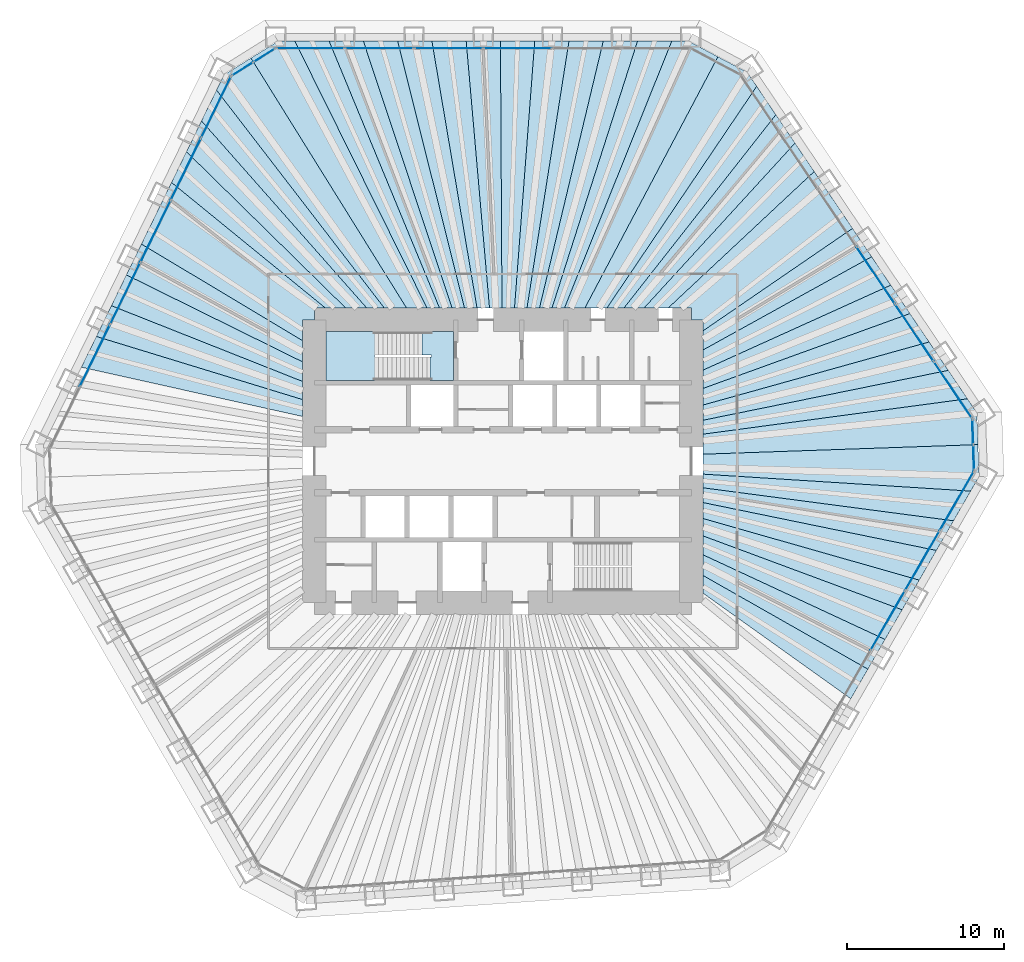
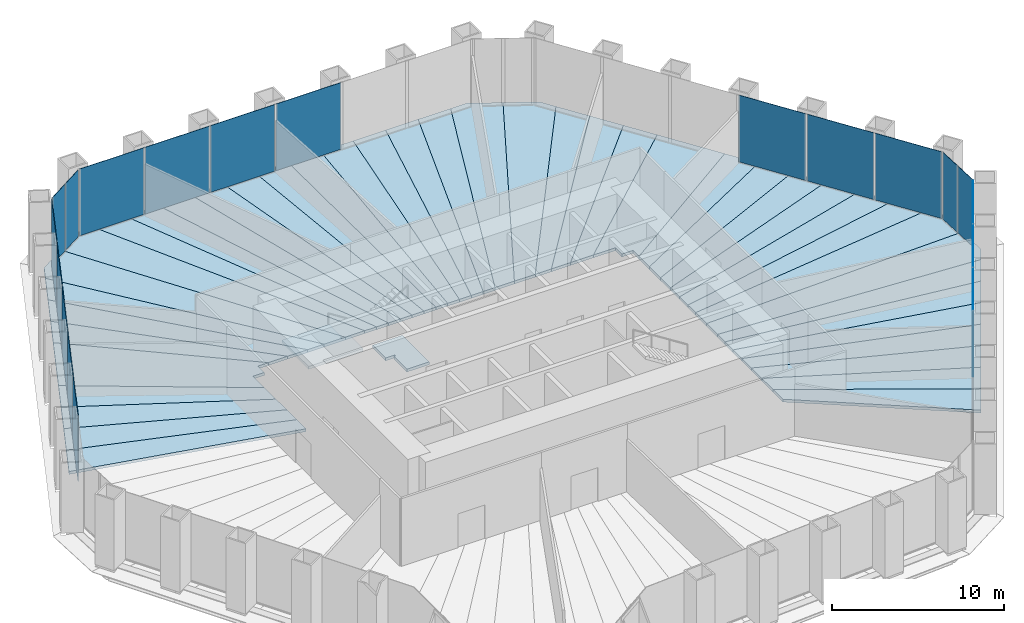
# One storey, part 9 of 14: 44 slabs, 19 plates, 7 elements without a shape of their own.
"""IFC4 building model written with IfcOpenShell, lengths in metres."""

from ifc_helpers import new_model, si_unit, direction, frame, origin, origin_2d, place, context, subcontext, project, spatial, polyline, rectangle, outline, extrude, material, layer, layer_set, type_object, element, aggregate, save


model = new_model("IFC4")

# Units and contexts
model_context = context("Model", 3, precision=1e-05, world=origin(), true_north=direction((0.0, 1.0)))
body_context = subcontext(model_context, "Body", "Model", "MODEL_VIEW")
ifc_project = project(units=[si_unit("LENGTHUNIT", "METRE"), si_unit("AREAUNIT", "SQUARE_METRE"), si_unit("VOLUMEUNIT", "CUBIC_METRE"), si_unit("PLANEANGLEUNIT", "RADIAN"), si_unit("MASSUNIT", "GRAM", prefix="KILO")], contexts=[model_context])

# Site, building, storey
site_placement = place(None, origin())
site = spatial("IfcSite", under=ifc_project, at=site_placement, CompositionType="ELEMENT")
building_placement = place(site_placement, origin())
building = spatial("IfcBuilding", under=site, at=building_placement, Name="Qingtian Harvest Tower", CompositionType="ELEMENT")
storey_placement = place(building_placement, frame((0.0, 0.0, 57.0)))
storey = spatial("IfcBuildingStorey", under=building, at=storey_placement, Name="L11", CompositionType="ELEMENT", Elevation=57.0)

# Slabs
ifc_material_1 = material(Name="Concrete fc' 35 MPa", Category="concrete")
ifc_layer_1 = layer(ifc_material_1, 0.199951171875)
ifc_layer_set_1 = layer_set([ifc_layer_1], Name="Composite floor slab FS20 200")
slab_type_1 = type_object("IfcSlabType", Name="Composite floor slab FS20 200", PredefinedType="FLOOR", material=ifc_layer_set_1)
slab_1_placement = place(storey_placement, frame((0.0, 0.0, -0.199951171875)))
element("IfcSlab", 1, at=slab_1_placement, inside=storey, type_object=slab_type_1, Name="Floor slab L11 panel D32", PredefinedType="FLOOR", context=body_context, shape_type="SweptSolid", body=[
    extrude(outline(polyline([(12.75, -7.279052734375), (23.247802734375, -13.243408203125), (22.159423828125, -15.128662109375), (12.75, -8.4091796875), (12.75, -7.279052734375)])), origin(), (0.0, 0.0, 1.0), 0.199951171875),
])
slab_2_placement = place(storey_placement, frame((0.0, 0.0, -0.199951171875)))
element("IfcSlab", 2, at=slab_2_placement, inside=storey, type_object=slab_type_1, Name="Floor slab L11 panel D33", PredefinedType="FLOOR", context=body_context, shape_type="SweptSolid", body=[
    extrude(outline(polyline([(12.75, -5.96142578125), (24.339111328125, -11.353515625), (23.247802734375, -13.243408203125), (12.75, -7.279052734375), (12.75, -5.96142578125)])), origin(), (0.0, 0.0, 1.0), 0.199951171875),
])
slab_3_placement = place(storey_placement, frame((0.0, 0.0, -0.199951171875)))
element("IfcSlab", 3, at=slab_3_placement, inside=storey, type_object=slab_type_1, Name="Floor slab L11 panel D34", PredefinedType="FLOOR", context=body_context, shape_type="SweptSolid", body=[
    extrude(outline(polyline([(12.75, -4.757080078125), (25.43017578125, -9.46337890625), (24.339111328125, -11.353515625), (12.75, -5.96142578125), (12.75, -4.757080078125)])), origin(), (0.0, 0.0, 1.0), 0.199951171875),
])
slab_4_placement = place(storey_placement, frame((0.0, 0.0, -0.199951171875)))
element("IfcSlab", 4, at=slab_4_placement, inside=storey, type_object=slab_type_1, Name="Floor slab L11 panel D35", PredefinedType="FLOOR", context=body_context, shape_type="SweptSolid", body=[
    extrude(outline(polyline([(12.75, -3.651611328125), (26.521484375, -7.573486328125), (25.43017578125, -9.46337890625), (12.75, -4.757080078125), (12.75, -3.651611328125)])), origin(), (0.0, 0.0, 1.0), 0.199951171875),
])
slab_5_placement = place(storey_placement, frame((0.0, 0.0, -0.199951171875)))
element("IfcSlab", 5, at=slab_5_placement, inside=storey, type_object=slab_type_1, Name="Floor slab L11 panel D36", PredefinedType="FLOOR", context=body_context, shape_type="SweptSolid", body=[
    extrude(outline(polyline([(12.75, -2.634033203125), (27.612548828125, -5.68359375), (26.521484375, -7.573486328125), (12.75, -3.651611328125), (12.75, -2.634033203125)])), origin(), (0.0, 0.0, 1.0), 0.199951171875),
])
slab_6_placement = place(storey_placement, frame((0.0, 0.0, -0.199951171875)))
element("IfcSlab", 6, at=slab_6_placement, inside=storey, type_object=slab_type_1, Name="Floor slab L11 panel D37", PredefinedType="FLOOR", context=body_context, shape_type="SweptSolid", body=[
    extrude(outline(polyline([(12.75, -1.693603515625), (28.703857421875, -3.793701171875), (27.612548828125, -5.68359375), (12.75, -2.634033203125), (12.75, -1.693603515625)])), origin(), (0.0, 0.0, 1.0), 0.199951171875),
])
slab_7_placement = place(storey_placement, frame((0.0, 0.0, -0.199951171875)))
element("IfcSlab", 7, at=slab_7_placement, inside=storey, type_object=slab_type_1, Name="Floor slab L11 panel D38", PredefinedType="FLOOR", context=body_context, shape_type="SweptSolid", body=[
    extrude(outline(polyline([(12.75, -0.822265625), (29.794921875, -1.903564453125), (28.703857421875, -3.793701171875), (12.75, -1.693603515625), (12.75, -0.822265625)])), origin(), (0.0, 0.0, 1.0), 0.199951171875),
])
slab_8_placement = place(storey_placement, frame((0.0, 0.0, -0.199951171875)))
element("IfcSlab", 8, at=slab_8_placement, inside=storey, type_object=slab_type_1, Name="Floor slab L11 panel D39", PredefinedType="FLOOR", context=body_context, shape_type="SweptSolid", body=[
    extrude(outline(polyline([(12.75, -0.822265625), (12.75, 0.447265625), (30.2587890625, 1.056640625), (30.32958984375, -0.9775390625), (29.794921875, -1.903564453125), (12.75, -0.822265625)])), origin(), (0.0, 0.0, 1.0), 0.199951171875),
])
slab_9_placement = place(storey_placement, frame((0.0, 0.0, -0.199951171875)))
element("IfcSlab", 9, at=slab_9_placement, inside=storey, type_object=slab_type_1, Name="Floor slab L11 panel D40", PredefinedType="FLOOR", context=body_context, shape_type="SweptSolid", body=[
    extrude(outline(polyline([(12.75, 0.447265625), (12.75, 1.72265625), (29.589599609375, 3.977294921875), (30.187744140625, 3.0908203125), (30.2587890625, 1.056640625), (12.75, 0.447265625)])), origin(), (0.0, 0.0, 1.0), 0.199951171875),
])
slab_10_placement = place(storey_placement, frame((0.0, 0.0, -0.199951171875)))
element("IfcSlab", 10, at=slab_10_placement, inside=storey, type_object=slab_type_1, Name="Floor slab L11 panel D41", PredefinedType="FLOOR", context=body_context, shape_type="SweptSolid", body=[
    extrude(outline(polyline([(12.75, 2.610595703125), (28.369140625, 5.78662109375), (29.589599609375, 3.977294921875), (12.75, 1.72265625), (12.75, 2.610595703125)])), origin(), (0.0, 0.0, 1.0), 0.199951171875),
])
slab_11_placement = place(storey_placement, frame((0.0, 0.0, -0.199951171875)))
element("IfcSlab", 11, at=slab_11_placement, inside=storey, type_object=slab_type_1, Name="Floor slab L11 panel D42", PredefinedType="FLOOR", context=body_context, shape_type="SweptSolid", body=[
    extrude(outline(polyline([(12.75, 3.57861328125), (27.14892578125, 7.595947265625), (28.369140625, 5.78662109375), (12.75, 2.610595703125), (12.75, 3.57861328125)])), origin(), (0.0, 0.0, 1.0), 0.199951171875),
])
slab_12_placement = place(storey_placement, frame((0.0, 0.0, -0.199951171875)))
element("IfcSlab", 12, at=slab_12_placement, inside=storey, type_object=slab_type_1, Name="Floor slab L11 panel D43", PredefinedType="FLOOR", context=body_context, shape_type="SweptSolid", body=[
    extrude(outline(polyline([(12.75, 4.6376953125), (25.928466796875, 9.405029296875), (27.14892578125, 7.595947265625), (12.75, 3.57861328125), (12.75, 4.6376953125)])), origin(), (0.0, 0.0, 1.0), 0.199951171875),
])
slab_13_placement = place(storey_placement, frame((0.0, 0.0, -0.199951171875)))
element("IfcSlab", 13, at=slab_13_placement, inside=storey, type_object=slab_type_1, Name="Floor slab L11 panel D44", PredefinedType="FLOOR", context=body_context, shape_type="SweptSolid", body=[
    extrude(outline(polyline([(12.75, 5.8017578125), (24.708251953125, 11.21435546875), (25.928466796875, 9.405029296875), (12.75, 4.6376953125), (12.75, 5.8017578125)])), origin(), (0.0, 0.0, 1.0), 0.199951171875),
])
slab_14_placement = place(storey_placement, frame((0.0, 0.0, -0.199951171875)))
element("IfcSlab", 14, at=slab_14_placement, inside=storey, type_object=slab_type_1, Name="Floor slab L11 panel D45", PredefinedType="FLOOR", context=body_context, shape_type="SweptSolid", body=[
    extrude(outline(polyline([(12.75, 7.087158203125), (23.48779296875, 13.023681640625), (24.708251953125, 11.21435546875), (12.75, 5.8017578125), (12.75, 7.087158203125)])), origin(), (0.0, 0.0, 1.0), 0.199951171875),
])
slab_15_placement = place(storey_placement, frame((0.0, 0.0, -0.199951171875)))
element("IfcSlab", 15, at=slab_15_placement, inside=storey, type_object=slab_type_1, Name="Floor slab L11 panel D46", PredefinedType="FLOOR", context=body_context, shape_type="SweptSolid", body=[
    extrude(outline(polyline([(12.75, 8.30615234375), (22.26953125, 14.829833984375), (23.48779296875, 13.023681640625), (12.75, 7.087158203125), (12.75, 8.30615234375)])), origin(), (0.0, 0.0, 1.0), 0.199951171875),
])
slab_16_placement = place(storey_placement, frame((0.0, 0.0, -0.199951171875)))
element("IfcSlab", 16, at=slab_16_placement, inside=storey, type_object=slab_type_1, Name="Floor slab L11 panel D48", PredefinedType="FLOOR", context=body_context, shape_type="SweptSolid", body=[
    extrude(outline(polyline([(19.8271484375, 18.45068359375), (22.26953125, 14.829833984375), (12.75, 8.30615234375), (12.75, 9.0), (12.0, 9.0), (12.0, 9.75), (10.51806640625, 9.75), (19.8271484375, 18.45068359375)])), origin(), (0.0, 0.0, 1.0), 0.199951171875),
])
slab_17_placement = place(storey_placement, frame((0.0, 0.0, -0.199951171875)))
element("IfcSlab", 17, at=slab_17_placement, inside=storey, type_object=slab_type_1, Name="Floor slab L11 panel D49", PredefinedType="FLOOR", context=body_context, shape_type="SweptSolid", body=[
    extrude(outline(polyline([(8.985107421875, 9.75), (18.60693359375, 20.260009765625), (19.8271484375, 18.45068359375), (10.51806640625, 9.75), (8.985107421875, 9.75)])), origin(), (0.0, 0.0, 1.0), 0.199951171875),
])
slab_18_placement = place(storey_placement, frame((0.0, 0.0, -0.199951171875)))
element("IfcSlab", 18, at=slab_18_placement, inside=storey, type_object=slab_type_1, Name="Floor slab L11 panel D50", PredefinedType="FLOOR", context=body_context, shape_type="SweptSolid", body=[
    extrude(outline(polyline([(7.705078125, 9.75), (17.386474609375, 22.0693359375), (18.60693359375, 20.260009765625), (8.985107421875, 9.75), (7.705078125, 9.75)])), origin(), (0.0, 0.0, 1.0), 0.199951171875),
])
slab_19_placement = place(storey_placement, frame((0.0, 0.0, -0.199951171875)))
element("IfcSlab", 19, at=slab_19_placement, inside=storey, type_object=slab_type_1, Name="Floor slab L11 panel D51", PredefinedType="FLOOR", context=body_context, shape_type="SweptSolid", body=[
    extrude(outline(polyline([(6.61962890625, 9.75), (16.166015625, 23.87841796875), (17.386474609375, 22.0693359375), (7.705078125, 9.75), (6.61962890625, 9.75)])), origin(), (0.0, 0.0, 1.0), 0.199951171875),
])
slab_20_placement = place(storey_placement, frame((0.0, 0.0, -0.199951171875)))
element("IfcSlab", 20, at=slab_20_placement, inside=storey, type_object=slab_type_1, Name="Floor slab L11 panel D52", PredefinedType="FLOOR", context=body_context, shape_type="SweptSolid", body=[
    extrude(outline(polyline([(6.61962890625, 9.75), (5.21875, 9.75), (13.697265625, 25.760009765625), (15.56787109375, 24.765380859375), (16.166015625, 23.87841796875), (6.61962890625, 9.75)])), origin(), (0.0, 0.0, 1.0), 0.199951171875),
])
slab_21_placement = place(storey_placement, frame((0.0, 0.0, -0.199951171875)))
element("IfcSlab", 21, at=slab_21_placement, inside=storey, type_object=slab_type_1, Name="Floor slab L11 panel D53", PredefinedType="FLOOR", context=body_context, shape_type="SweptSolid", body=[
    extrude(outline(polyline([(3.919921875, 9.75), (10.756591796875, 26.7548828125), (11.825927734375, 26.7548828125), (13.697265625, 25.760009765625), (5.21875, 9.75), (3.919921875, 9.75)])), origin(), (0.0, 0.0, 1.0), 0.199951171875),
])
slab_22_placement = place(storey_placement, frame((0.0, 0.0, -0.199951171875)))
element("IfcSlab", 22, at=slab_22_placement, inside=storey, type_object=slab_type_1, Name="Floor slab L11 panel D54", PredefinedType="FLOOR", context=body_context, shape_type="SweptSolid", body=[
    extrude(outline(polyline([(3.12451171875, 9.75), (8.57421875, 26.7548828125), (10.756591796875, 26.7548828125), (3.919921875, 9.75), (3.12451171875, 9.75)])), origin(), (0.0, 0.0, 1.0), 0.199951171875),
])
slab_23_placement = place(storey_placement, frame((0.0, 0.0, -0.199951171875)))
element("IfcSlab", 23, at=slab_23_placement, inside=storey, type_object=slab_type_1, Name="Floor slab L11 panel D55", PredefinedType="FLOOR", context=body_context, shape_type="SweptSolid", body=[
    extrude(outline(polyline([(2.329345703125, 9.75), (6.391845703125, 26.7548828125), (8.57421875, 26.7548828125), (3.12451171875, 9.75), (2.329345703125, 9.75)])), origin(), (0.0, 0.0, 1.0), 0.199951171875),
])
slab_24_placement = place(storey_placement, frame((0.0, 0.0, -0.199951171875)))
element("IfcSlab", 24, at=slab_24_placement, inside=storey, type_object=slab_type_1, Name="Floor slab L11 panel D56", PredefinedType="FLOOR", context=body_context, shape_type="SweptSolid", body=[
    extrude(outline(polyline([(1.533935546875, 9.75), (4.20947265625, 26.7548828125), (6.391845703125, 26.7548828125), (2.329345703125, 9.75), (1.533935546875, 9.75)])), origin(), (0.0, 0.0, 1.0), 0.199951171875),
])
slab_25_placement = place(storey_placement, frame((0.0, 0.0, -0.199951171875)))
element("IfcSlab", 25, at=slab_25_placement, inside=storey, type_object=slab_type_1, Name="Floor slab L11 panel D57", PredefinedType="FLOOR", context=body_context, shape_type="SweptSolid", body=[
    extrude(outline(polyline([(0.73876953125, 9.75), (2.02734375, 26.7548828125), (4.20947265625, 26.7548828125), (1.533935546875, 9.75), (0.73876953125, 9.75)])), origin(), (0.0, 0.0, 1.0), 0.199951171875),
])
slab_26_placement = place(storey_placement, frame((0.0, 0.0, -0.199951171875)))
element("IfcSlab", 26, at=slab_26_placement, inside=storey, type_object=slab_type_1, Name="Floor slab L11 panel D58", PredefinedType="FLOOR", context=body_context, shape_type="SweptSolid", body=[
    extrude(outline(polyline([(-0.056396484375, 9.75), (-0.155029296875, 26.7548828125), (2.02734375, 26.7548828125), (0.73876953125, 9.75), (-0.056396484375, 9.75)])), origin(), (0.0, 0.0, 1.0), 0.199951171875),
])
slab_27_placement = place(storey_placement, frame((0.0, 0.0, -0.199951171875)))
element("IfcSlab", 27, at=slab_27_placement, inside=storey, type_object=slab_type_1, Name="Floor slab L11 panel D59", PredefinedType="FLOOR", context=body_context, shape_type="SweptSolid", body=[
    extrude(outline(polyline([(-0.851806640625, 9.75), (-2.33740234375, 26.7548828125), (-0.155029296875, 26.7548828125), (-0.056396484375, 9.75), (-0.851806640625, 9.75)])), origin(), (0.0, 0.0, 1.0), 0.199951171875),
])
slab_28_placement = place(storey_placement, frame((0.0, 0.0, -0.199951171875)))
element("IfcSlab", 28, at=slab_28_placement, inside=storey, type_object=slab_type_1, Name="Floor slab L11 panel D60", PredefinedType="FLOOR", context=body_context, shape_type="SweptSolid", body=[
    extrude(outline(polyline([(-1.64697265625, 9.75), (-4.519775390625, 26.7548828125), (-2.33740234375, 26.7548828125), (-0.851806640625, 9.75), (-1.64697265625, 9.75)])), origin(), (0.0, 0.0, 1.0), 0.199951171875),
])
slab_29_placement = place(storey_placement, frame((0.0, 0.0, -0.199951171875)))
element("IfcSlab", 29, at=slab_29_placement, inside=storey, type_object=slab_type_1, Name="Floor slab L11 panel D61", PredefinedType="FLOOR", context=body_context, shape_type="SweptSolid", body=[
    extrude(outline(polyline([(-2.4423828125, 9.75), (-6.7021484375, 26.7548828125), (-4.519775390625, 26.7548828125), (-1.64697265625, 9.75), (-2.4423828125, 9.75)])), origin(), (0.0, 0.0, 1.0), 0.199951171875),
])
slab_30_placement = place(storey_placement, frame((0.0, 0.0, -0.199951171875)))
element("IfcSlab", 30, at=slab_30_placement, inside=storey, type_object=slab_type_1, Name="Floor slab L11 panel D62", PredefinedType="FLOOR", context=body_context, shape_type="SweptSolid", body=[
    extrude(outline(polyline([(-3.237548828125, 9.75), (-8.88427734375, 26.7548828125), (-6.7021484375, 26.7548828125), (-2.4423828125, 9.75), (-3.237548828125, 9.75)])), origin(), (0.0, 0.0, 1.0), 0.199951171875),
])
slab_31_placement = place(storey_placement, frame((0.0, 0.0, -0.199951171875)))
element("IfcSlab", 31, at=slab_31_placement, inside=storey, type_object=slab_type_1, Name="Floor slab L11 panel D63", PredefinedType="FLOOR", context=body_context, shape_type="SweptSolid", body=[
    extrude(outline(polyline([(-4.032958984375, 9.75), (-11.066650390625, 26.7548828125), (-8.88427734375, 26.7548828125), (-3.237548828125, 9.75), (-4.032958984375, 9.75)])), origin(), (0.0, 0.0, 1.0), 0.199951171875),
])
slab_32_placement = place(storey_placement, frame((0.0, 0.0, -0.199951171875)))
element("IfcSlab", 32, at=slab_32_placement, inside=storey, type_object=slab_type_1, Name="Floor slab L11 panel D64", PredefinedType="FLOOR", context=body_context, shape_type="SweptSolid", body=[
    extrude(outline(polyline([(-4.828125, 9.75), (-13.2490234375, 26.7548828125), (-11.066650390625, 26.7548828125), (-4.032958984375, 9.75), (-4.828125, 9.75)])), origin(), (0.0, 0.0, 1.0), 0.199951171875),
])
slab_33_placement = place(storey_placement, frame((0.0, 0.0, -0.199951171875)))
element("IfcSlab", 33, at=slab_33_placement, inside=storey, type_object=slab_type_1, Name="Floor slab L11 panel D65", PredefinedType="FLOOR", context=body_context, shape_type="SweptSolid", body=[
    extrude(outline(polyline([(-4.828125, 9.75), (-6.130126953125, 9.75), (-16.044921875, 25.67626953125), (-14.318359375, 26.7548828125), (-13.2490234375, 26.7548828125), (-4.828125, 9.75)])), origin(), (0.0, 0.0, 1.0), 0.199951171875),
])
slab_34_placement = place(storey_placement, frame((0.0, 0.0, -0.199951171875)))
element("IfcSlab", 34, at=slab_34_placement, inside=storey, type_object=slab_type_1, Name="Floor slab L11 panel D66", PredefinedType="FLOOR", context=body_context, shape_type="SweptSolid", body=[
    extrude(outline(polyline([(-6.130126953125, 9.75), (-7.544677734375, 9.75), (-18.239501953125, 23.636474609375), (-17.7705078125, 24.597900390625), (-16.044921875, 25.67626953125), (-6.130126953125, 9.75)])), origin(), (0.0, 0.0, 1.0), 0.199951171875),
])
slab_35_placement = place(storey_placement, frame((0.0, 0.0, -0.199951171875)))
element("IfcSlab", 35, at=slab_35_placement, inside=storey, type_object=slab_type_1, Name="Floor slab L11 panel D67", PredefinedType="FLOOR", context=body_context, shape_type="SweptSolid", body=[
    extrude(outline(polyline([(-8.662109375, 9.75), (-19.196044921875, 21.675048828125), (-18.239501953125, 23.636474609375), (-7.544677734375, 9.75), (-8.662109375, 9.75)])), origin(), (0.0, 0.0, 1.0), 0.199951171875),
])
slab_36_placement = place(storey_placement, frame((0.0, 0.0, -0.199951171875)))
element("IfcSlab", 36, at=slab_36_placement, inside=storey, type_object=slab_type_1, Name="Floor slab L11 panel D68", PredefinedType="FLOOR", context=body_context, shape_type="SweptSolid", body=[
    extrude(outline(polyline([(-10.00341796875, 9.75), (-20.15283203125, 19.71337890625), (-19.196044921875, 21.675048828125), (-8.662109375, 9.75), (-10.00341796875, 9.75)])), origin(), (0.0, 0.0, 1.0), 0.199951171875),
])
slab_37_placement = place(storey_placement, frame((0.0, 0.0, -0.199951171875)))
element("IfcSlab", 37, at=slab_37_placement, inside=storey, type_object=slab_type_1, Name="Floor slab L11 panel D69", PredefinedType="FLOOR", context=body_context, shape_type="SweptSolid", body=[
    extrude(outline(polyline([(-11.2939453125, 9.75), (-21.107666015625, 17.755859375), (-20.15283203125, 19.71337890625), (-10.00341796875, 9.75), (-11.2939453125, 9.75)])), origin(), (0.0, 0.0, 1.0), 0.199951171875),
])
slab_38_placement = place(storey_placement, frame((0.0, 0.0, -0.199951171875)))
element("IfcSlab", 38, at=slab_38_placement, inside=storey, type_object=slab_type_1, Name="Floor slab L11 panel D70", PredefinedType="FLOOR", context=body_context, shape_type="SweptSolid", body=[
    extrude(outline(polyline([(-12.0, 9.0), (-12.75, 9.0), (-12.75, 7.67333984375), (-23.0224609375, 13.82958984375), (-21.107666015625, 17.755859375), (-11.2939453125, 9.75), (-12.0, 9.75), (-12.0, 9.0)])), origin(), (0.0, 0.0, 1.0), 0.199951171875),
])
slab_39_placement = place(storey_placement, frame((0.0, 0.0, -0.199951171875)))
element("IfcSlab", 39, at=slab_39_placement, inside=storey, type_object=slab_type_1, Name="Floor slab L11 panel D72", PredefinedType="FLOOR", context=body_context, shape_type="SweptSolid", body=[
    extrude(outline(polyline([(-12.75, 6.3232421875), (-23.979248046875, 11.8681640625), (-23.0224609375, 13.82958984375), (-12.75, 7.67333984375), (-12.75, 6.3232421875)])), origin(), (0.0, 0.0, 1.0), 0.199951171875),
])
slab_40_placement = place(storey_placement, frame((0.0, 0.0, -0.199951171875)))
element("IfcSlab", 40, at=slab_40_placement, inside=storey, type_object=slab_type_1, Name="Floor slab L11 panel D73", PredefinedType="FLOOR", context=body_context, shape_type="SweptSolid", body=[
    extrude(outline(polyline([(-12.75, 5.076904296875), (-24.935791015625, 9.90673828125), (-23.979248046875, 11.8681640625), (-12.75, 6.3232421875), (-12.75, 5.076904296875)])), origin(), (0.0, 0.0, 1.0), 0.199951171875),
])
slab_41_placement = place(storey_placement, frame((0.0, 0.0, -0.199951171875)))
element("IfcSlab", 41, at=slab_41_placement, inside=storey, type_object=slab_type_1, Name="Floor slab L11 panel D74", PredefinedType="FLOOR", context=body_context, shape_type="SweptSolid", body=[
    extrude(outline(polyline([(-12.75, 3.922607421875), (-25.892578125, 7.9453125), (-24.935791015625, 9.90673828125), (-12.75, 5.076904296875), (-12.75, 3.922607421875)])), origin(), (0.0, 0.0, 1.0), 0.199951171875),
])
slab_42_placement = place(storey_placement, frame((0.0, 0.0, -0.199951171875)))
element("IfcSlab", 42, at=slab_42_placement, inside=storey, type_object=slab_type_1, Name="Floor slab L11 panel D75", PredefinedType="FLOOR", context=body_context, shape_type="SweptSolid", body=[
    extrude(outline(polyline([(-12.75, 2.8505859375), (-26.84912109375, 5.98388671875), (-25.892578125, 7.9453125), (-12.75, 3.922607421875), (-12.75, 2.8505859375)])), origin(), (0.0, 0.0, 1.0), 0.199951171875),
])

# Curtain wall, plates
ifc_material_2 = material(Name="Bronze-anodised aluminium curtain wall", Category="aluminium")
curtain_wall_type = type_object("IfcCurtainWallType", Name="Curtain wall CW2 farm reception", PredefinedType="USERDEFINED", material=ifc_material_2)
curtain_wall_1_placement = place(storey_placement, origin())
curtain_wall_1 = element("IfcCurtainWall", 43, at=curtain_wall_1_placement, inside=storey, type_object=curtain_wall_type, Name="Curtain wall CW2 L11 N0-5", ObjectType="RECESSED CURTAIN WALL", PredefinedType="USERDEFINED")
ifc_material_3 = material(Name="Bronze-tinted laminated insulating glass", Category="glass")
ifc_layer_2 = layer(ifc_material_3, 0.030029296875)
ifc_layer_set_2 = layer_set([ifc_layer_2], Name="Glazed panel CWP tinted IGU")
plate_type = type_object("IfcPlateType", Name="Glazed panel CWP tinted IGU", PredefinedType="CURTAIN_PANEL", material=ifc_layer_set_2)
plate_1_placement = place(storey_placement, frame((-12.2529296875, 26.300048828125, 0.06494140625), z_axis=(0.0, 0.0, 1.0), x_axis=(1.0, 0.0, 0.0)))
plate_1 = element("IfcPlate", 44, at=plate_1_placement, type_object=plate_type, Name="CW2 panel 1.1", PredefinedType="CURTAIN_PANEL", context=body_context, shape_type="SweptSolid", body=[
    extrude(rectangle(XDim=4.30712890625, YDim=0.030029296875, at=origin_2d()), origin(), (0.0, 0.0, 1.0), 4.735107421875),
])
plate_2_placement = place(storey_placement, frame((-7.864501953125, 26.300048828125, 0.06494140625), z_axis=(0.0, 0.0, 1.0), x_axis=(1.0, 0.0, 0.0)))
plate_2 = element("IfcPlate", 45, at=plate_2_placement, type_object=plate_type, Name="CW2 panel 2.1", PredefinedType="CURTAIN_PANEL", context=body_context, shape_type="SweptSolid", body=[
    extrude(rectangle(XDim=4.339599609375, YDim=0.030029296875, at=origin_2d()), origin(), (0.0, 0.0, 1.0), 4.735107421875),
])
plate_3_placement = place(storey_placement, frame((-3.4599609375, 26.300048828125, 0.06494140625), z_axis=(0.0, 0.0, 1.0), x_axis=(1.0, 0.0, 0.0)))
plate_3 = element("IfcPlate", 46, at=plate_3_placement, type_object=plate_type, Name="CW2 panel 3.1", PredefinedType="CURTAIN_PANEL", context=body_context, shape_type="SweptSolid", body=[
    extrude(rectangle(XDim=4.339599609375, YDim=0.030029296875, at=origin_2d()), origin(), (0.0, 0.0, 1.0), 4.735107421875),
])
plate_4_placement = place(storey_placement, frame((0.944580078125, 26.300048828125, 0.06494140625), z_axis=(0.0, 0.0, 1.0), x_axis=(1.0, 0.0, 0.0)))
plate_4 = element("IfcPlate", 47, at=plate_4_placement, type_object=plate_type, Name="CW2 panel 4.1", PredefinedType="CURTAIN_PANEL", context=body_context, shape_type="SweptSolid", body=[
    extrude(rectangle(XDim=4.339599609375, YDim=0.030029296875, at=origin_2d()), origin(), (0.0, 0.0, 1.0), 4.735107421875),
])
aggregate(curtain_wall_1, [plate_1, plate_2, plate_3, plate_4])

curtain_wall_2_placement = place(storey_placement, origin())
curtain_wall_2 = element("IfcCurtainWall", 48, at=curtain_wall_2_placement, inside=storey, type_object=curtain_wall_type, Name="Curtain wall CW2 L11 NE0-5", ObjectType="RECESSED CURTAIN WALL", PredefinedType="USERDEFINED")
plate_5_placement = place(storey_placement, frame((23.738525390625, 11.83837890625, 0.06494140625), z_axis=(0.0, 0.0, 1.0), x_axis=(0.559192903471, -0.829037572555, 0.0)))
plate_5 = element("IfcPlate", 49, at=plate_5_placement, type_object=plate_type, Name="CW2 panel 4.1", PredefinedType="CURTAIN_PANEL", context=body_context, shape_type="SweptSolid", body=[
    extrude(rectangle(XDim=4.339599609375, YDim=0.030029296875, at=origin_2d()), origin(), (0.0, 0.0, 1.0), 4.735107421875),
])
plate_6_placement = place(storey_placement, frame((26.201416015625, 8.186767578125, 0.06494140625), z_axis=(0.0, 0.0, 1.0), x_axis=(0.559192903471, -0.829037572555, 0.0)))
plate_6 = element("IfcPlate", 50, at=plate_6_placement, type_object=plate_type, Name="CW2 panel 5.1", PredefinedType="CURTAIN_PANEL", context=body_context, shape_type="SweptSolid", body=[
    extrude(rectangle(XDim=4.339599609375, YDim=0.030029296875, at=origin_2d()), origin(), (0.0, 0.0, 1.0), 4.735107421875),
])
plate_7_placement = place(storey_placement, frame((28.655517578125, 4.548583984375, 0.06494140625), z_axis=(0.0, 0.0, 1.0), x_axis=(0.559192903471, -0.829037572555, 0.0)))
plate_7 = element("IfcPlate", 51, at=plate_7_placement, type_object=plate_type, Name="CW2 panel 6.1", PredefinedType="CURTAIN_PANEL", context=body_context, shape_type="SweptSolid", body=[
    extrude(rectangle(XDim=4.30712890625, YDim=0.030029296875, at=origin_2d()), origin(), (0.0, 0.0, 1.0), 4.735107421875),
])
aggregate(curtain_wall_2, [plate_5, plate_6, plate_7])

curtain_wall_3_placement = place(storey_placement, origin())
curtain_wall_3 = element("IfcCurtainWall", 52, at=curtain_wall_3_placement, inside=storey, type_object=curtain_wall_type, Name="Curtain wall CW2 L11 NEC", ObjectType="RECESSED CURTAIN WALL", PredefinedType="USERDEFINED")
plate_8_placement = place(storey_placement, frame((29.925537109375, 1.861572265625, 0.06494140625), z_axis=(0.0, 0.0, 1.0), x_axis=(0.034899496703, -0.999390827019, 0.0)))
plate_8 = element("IfcPlate", 53, at=plate_8_placement, type_object=plate_type, Name="CW2 panel 1.1", PredefinedType="CURTAIN_PANEL", context=body_context, shape_type="SweptSolid", body=[
    extrude(rectangle(XDim=1.56689453125, YDim=0.030029296875, at=origin_2d()), origin(), (0.0, 0.0, 1.0), 4.735107421875),
])
plate_9_placement = place(storey_placement, frame((29.982666015625, 0.23046875, 0.06494140625), z_axis=(0.0, 0.0, 1.0), x_axis=(0.034899496703, -0.999390827019, 0.0)))
plate_9 = element("IfcPlate", 54, at=plate_9_placement, type_object=plate_type, Name="CW2 panel 2.1", PredefinedType="CURTAIN_PANEL", context=body_context, shape_type="SweptSolid", body=[
    extrude(rectangle(XDim=1.56689453125, YDim=0.030029296875, at=origin_2d()), origin(), (0.0, 0.0, 1.0), 4.735107421875),
])
aggregate(curtain_wall_3, [plate_8, plate_9])

curtain_wall_4_placement = place(storey_placement, origin())
curtain_wall_4 = element("IfcCurtainWall", 55, at=curtain_wall_4_placement, inside=storey, type_object=curtain_wall_type, Name="Curtain wall CW2 L11 SE0-5", ObjectType="RECESSED CURTAIN WALL", PredefinedType="USERDEFINED")
plate_10_placement = place(storey_placement, frame((28.90283203125, -2.53857421875, 0.06494140625), z_axis=(0.0, 0.0, 1.0), x_axis=(-0.5, -0.866025403784, 0.0)))
plate_10 = element("IfcPlate", 56, at=plate_10_placement, type_object=plate_type, Name="CW2 panel 1.1", PredefinedType="CURTAIN_PANEL", context=body_context, shape_type="SweptSolid", body=[
    extrude(rectangle(XDim=4.30712890625, YDim=0.030029296875, at=origin_2d()), origin(), (0.0, 0.0, 1.0), 4.735107421875),
])
plate_11_placement = place(storey_placement, frame((26.708740234375, -6.339111328125, 0.06494140625), z_axis=(0.0, 0.0, 1.0), x_axis=(-0.5, -0.866025403784, 0.0)))
plate_11 = element("IfcPlate", 57, at=plate_11_placement, type_object=plate_type, Name="CW2 panel 2.1", PredefinedType="CURTAIN_PANEL", context=body_context, shape_type="SweptSolid", body=[
    extrude(rectangle(XDim=4.339599609375, YDim=0.030029296875, at=origin_2d()), origin(), (0.0, 0.0, 1.0), 4.735107421875),
])
plate_12_placement = place(storey_placement, frame((24.50634765625, -10.153564453125, 0.06494140625), z_axis=(0.0, 0.0, 1.0), x_axis=(-0.5, -0.866025403784, 0.0)))
plate_12 = element("IfcPlate", 58, at=plate_12_placement, type_object=plate_type, Name="CW2 panel 3.1", PredefinedType="CURTAIN_PANEL", context=body_context, shape_type="SweptSolid", body=[
    extrude(rectangle(XDim=4.339599609375, YDim=0.030029296875, at=origin_2d()), origin(), (0.0, 0.0, 1.0), 4.735107421875),
])
aggregate(curtain_wall_4, [plate_10, plate_11, plate_12])

curtain_wall_5_placement = place(storey_placement, origin())
curtain_wall_5 = element("IfcCurtainWall", 59, at=curtain_wall_5_placement, inside=storey, type_object=curtain_wall_type, Name="Curtain wall CW2 L11 NW0-5", ObjectType="RECESSED CURTAIN WALL", PredefinedType="USERDEFINED")
plate_13_placement = place(storey_placement, frame((-25.983154296875, 6.72119140625, 0.06494140625), z_axis=(0.0, 0.0, 1.0), x_axis=(0.438371146789, 0.898794046299, 0.0)))
plate_13 = element("IfcPlate", 60, at=plate_13_placement, type_object=plate_type, Name="CW2 panel 2.1", PredefinedType="CURTAIN_PANEL", context=body_context, shape_type="SweptSolid", body=[
    extrude(rectangle(XDim=4.339599609375, YDim=0.030029296875, at=origin_2d()), origin(), (0.0, 0.0, 1.0), 4.735107421875),
])
plate_14_placement = place(storey_placement, frame((-24.052490234375, 10.68017578125, 0.06494140625), z_axis=(0.0, 0.0, 1.0), x_axis=(0.438371146789, 0.898794046299, 0.0)))
plate_14 = element("IfcPlate", 61, at=plate_14_placement, type_object=plate_type, Name="CW2 panel 3.1", PredefinedType="CURTAIN_PANEL", context=body_context, shape_type="SweptSolid", body=[
    extrude(rectangle(XDim=4.339599609375, YDim=0.030029296875, at=origin_2d()), origin(), (0.0, 0.0, 1.0), 4.735107421875),
])
plate_15_placement = place(storey_placement, frame((-22.12158203125, 14.638916015625, 0.06494140625), z_axis=(0.0, 0.0, 1.0), x_axis=(0.438371146789, 0.898794046299, 0.0)))
plate_15 = element("IfcPlate", 62, at=plate_15_placement, type_object=plate_type, Name="CW2 panel 4.1", PredefinedType="CURTAIN_PANEL", context=body_context, shape_type="SweptSolid", body=[
    extrude(rectangle(XDim=4.339599609375, YDim=0.030029296875, at=origin_2d()), origin(), (0.0, 0.0, 1.0), 4.735107421875),
])
plate_16_placement = place(storey_placement, frame((-20.190673828125, 18.597900390625, 0.06494140625), z_axis=(0.0, 0.0, 1.0), x_axis=(0.438371146789, 0.898794046299, 0.0)))
plate_16 = element("IfcPlate", 63, at=plate_16_placement, type_object=plate_type, Name="CW2 panel 5.1", PredefinedType="CURTAIN_PANEL", context=body_context, shape_type="SweptSolid", body=[
    extrude(rectangle(XDim=4.339599609375, YDim=0.030029296875, at=origin_2d()), origin(), (0.0, 0.0, 1.0), 4.735107421875),
])
plate_17_placement = place(storey_placement, frame((-18.266845703125, 22.5419921875, 0.06494140625), z_axis=(0.0, 0.0, 1.0), x_axis=(0.438371146789, 0.898794046299, 0.0)))
plate_17 = element("IfcPlate", 64, at=plate_17_placement, type_object=plate_type, Name="CW2 panel 6.1", PredefinedType="CURTAIN_PANEL", context=body_context, shape_type="SweptSolid", body=[
    extrude(rectangle(XDim=4.30712890625, YDim=0.030029296875, at=origin_2d()), origin(), (0.0, 0.0, 1.0), 4.735107421875),
])
aggregate(curtain_wall_5, [plate_13, plate_14, plate_15, plate_16, plate_17])

curtain_wall_6_placement = place(storey_placement, origin())
curtain_wall_6 = element("IfcCurtainWall", 65, at=curtain_wall_6_placement, inside=storey, type_object=curtain_wall_type, Name="Curtain wall CW2 L11 NWC", ObjectType="RECESSED CURTAIN WALL", PredefinedType="USERDEFINED")
plate_18_placement = place(storey_placement, frame((-16.574951171875, 24.985595703125, 0.06494140625), z_axis=(0.0, 0.0, 1.0), x_axis=(0.848048096156, 0.529919264233, 0.0)))
plate_18 = element("IfcPlate", 66, at=plate_18_placement, type_object=plate_type, Name="CW2 panel 1.1", PredefinedType="CURTAIN_PANEL", context=body_context, shape_type="SweptSolid", body=[
    extrude(rectangle(XDim=1.56689453125, YDim=0.030029296875, at=origin_2d()), origin(), (0.0, 0.0, 1.0), 4.735107421875),
])
plate_19_placement = place(storey_placement, frame((-15.19091796875, 25.850341796875, 0.06494140625), z_axis=(0.0, 0.0, 1.0), x_axis=(0.848048096156, 0.529919264233, 0.0)))
plate_19 = element("IfcPlate", 67, at=plate_19_placement, type_object=plate_type, Name="CW2 panel 2.1", PredefinedType="CURTAIN_PANEL", context=body_context, shape_type="SweptSolid", body=[
    extrude(rectangle(XDim=1.56689453125, YDim=0.030029296875, at=origin_2d()), origin(), (0.0, 0.0, 1.0), 4.735107421875),
])
aggregate(curtain_wall_6, [plate_18, plate_19])

# Stair, slabs
ifc_material_4 = material(Name="Concrete fc' 35 MPa", Category="concrete")
stair_type = type_object("IfcStairType", Name="Special stair ST2 5000", PredefinedType="HALF_TURN_STAIR", material=ifc_material_4)
stair_placement = place(storey_placement, origin())
stair = element("IfcStair", 68, at=stair_placement, inside=storey, type_object=stair_type, Name="Special stair S1 L11", PredefinedType="HALF_TURN_STAIR")
ifc_material_5 = material(Name="Concrete fc' 35 MPa", Category="concrete")
ifc_layer_3 = layer(ifc_material_5, 0.199951171875)
ifc_layer_set_3 = layer_set([ifc_layer_3], Name="Stair landing SL2 200")
slab_type_2 = type_object("IfcSlabType", Name="Stair landing SL2 200", PredefinedType="LANDING", material=ifc_layer_set_3)
slab_43_placement = place(storey_placement, frame((0.0, 0.0, -0.199951171875)))
slab_43 = element("IfcSlab", 69, at=slab_43_placement, type_object=slab_type_2, Name="S1 landing 1", PredefinedType="LANDING", context=body_context, shape_type="SweptSolid", body=[
    extrude(outline(polyline([(-4.64990234375, 5.14990234375), (-4.64990234375, 6.64990234375), (-4.550048828125, 6.64990234375), (-4.550048828125, 6.75), (-5.155029296875, 6.75), (-5.155029296875, 8.25), (-3.14990234375, 8.25), (-3.14990234375, 5.14990234375), (-4.64990234375, 5.14990234375)])), origin(), (0.0, 0.0, 1.0), 0.199951171875),
])
slab_44_placement = place(storey_placement, frame((0.0, 0.0, 2.300048828125)))
slab_44 = element("IfcSlab", 70, at=slab_44_placement, type_object=slab_type_2, Name="S1 landing 2", PredefinedType="LANDING", context=body_context, shape_type="SweptSolid", body=[
    extrude(outline(polyline([(-7.5849609375, 5.14990234375), (-11.25, 5.14990234375), (-11.25, 8.25), (-8.090087890625, 8.25), (-8.090087890625, 6.75), (-8.18994140625, 6.75), (-8.18994140625, 6.64990234375), (-7.5849609375, 6.64990234375), (-7.5849609375, 5.14990234375)])), origin(), (0.0, 0.0, 1.0), 0.199951171875),
])
aggregate(stair, [slab_43, slab_44])

save(model, "model.ifc")
